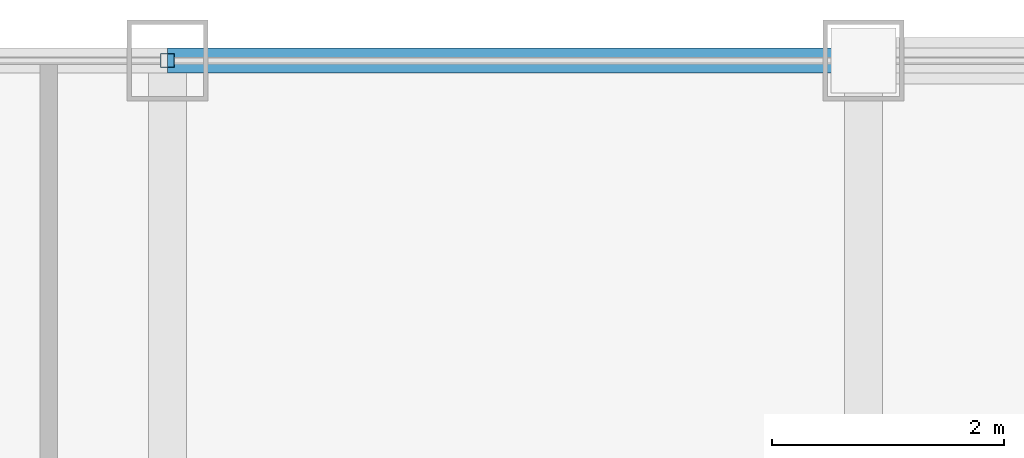
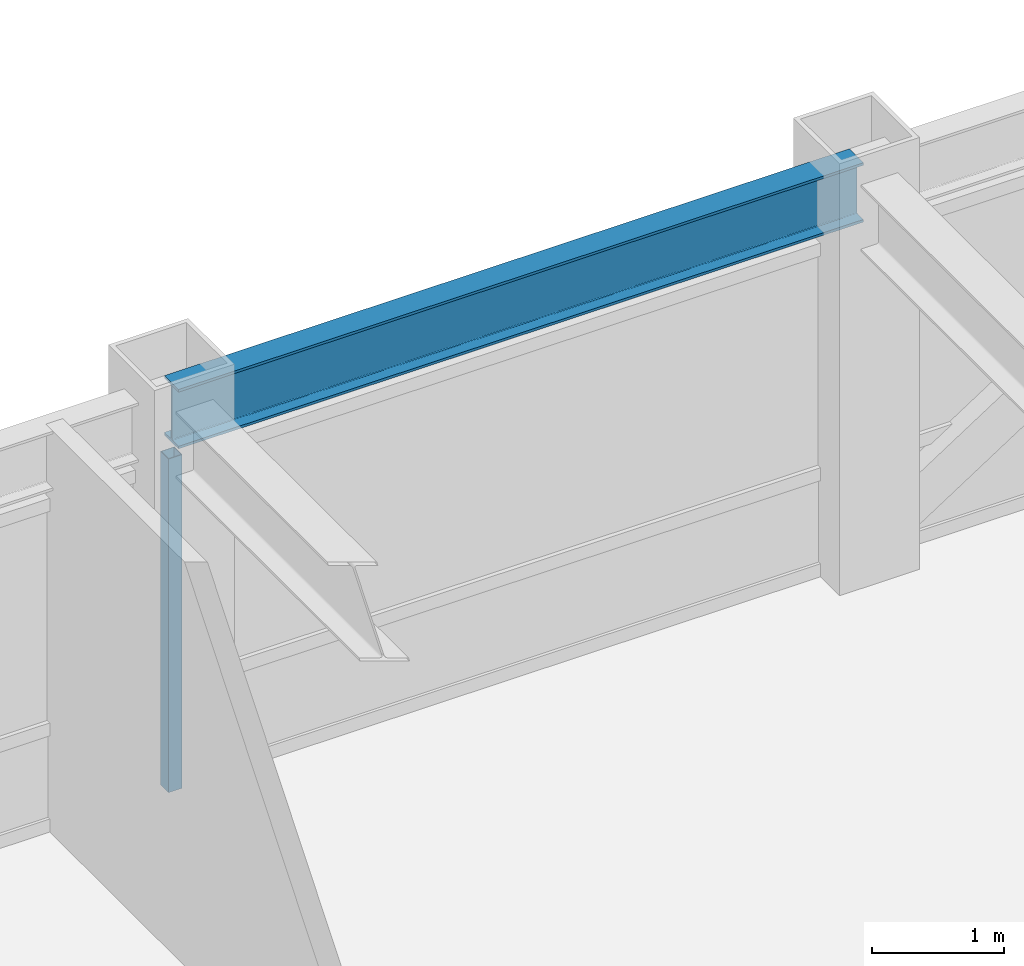
# One storey, part 18 of 29: 1 beam, 1 member, 1 element without a shape of its own.
"""IFC4 building model written with IfcOpenShell, lengths in metres."""

from ifc_helpers import new_model, si_unit, direction, frame, origin, origin_2d, place, context, subcontext, project, spatial, hollow_rectangle, i_section, extrude, source, transform, mapped, material, material_profile, profile_set, type_object, element, aggregate, save


model = new_model("IFC4")

# Units and contexts
model_context = context("Model", 3, precision=1e-05, world=origin(), true_north=direction((0.0, 1.0)))
body_context = subcontext(model_context, "Body", "Model", "MODEL_VIEW")
ifc_project = project(units=[si_unit("LENGTHUNIT", "METRE"), si_unit("AREAUNIT", "SQUARE_METRE"), si_unit("VOLUMEUNIT", "CUBIC_METRE"), si_unit("PLANEANGLEUNIT", "RADIAN"), si_unit("MASSUNIT", "GRAM", prefix="KILO")], contexts=[model_context])

# Site, building, storey
site_placement = place(None, origin())
site = spatial("IfcSite", under=ifc_project, at=site_placement, CompositionType="ELEMENT")
building_placement = place(site_placement, origin())
building = spatial("IfcBuilding", under=site, at=building_placement, Name="Khorayat Bourse Tower", CompositionType="ELEMENT")
storey_placement = place(building_placement, frame((0.0, 0.0, 366.300048828125)))
storey = spatial("IfcBuildingStorey", under=building, at=storey_placement, Name="L87", CompositionType="ELEMENT", Elevation=366.300048828125)

# Beam
ifc_material_1 = material(Name="Steel ASTM A992 Grade 50", Category="steel")
ifc_material_profile_1 = material_profile(ifc_material_1, i_section(OverallWidth=0.214111328125, OverallDepth=0.549072265625, WebThickness=0.0146484375, FlangeThickness=0.023681640625, FilletRadius=0.013916015625, at=origin_2d()), Name="W530X138")
ifc_profile_set_1 = profile_set([ifc_material_profile_1], Name="Steel ASTM A992 Grade 50")
beam_type = type_object("IfcBeamType", Name="BM-SPAN-530", PredefinedType="SPANDREL", material=ifc_profile_set_1)
shared_shape_1 = source(origin(), body_context, "Body", "SweptSolid", [
    extrude(i_section(OverallWidth=0.214111328125, OverallDepth=0.549072265625, WebThickness=0.0146484375, FlangeThickness=0.023681640625, FilletRadius=0.013916015625, at=origin_2d()), origin(), (0.0, 0.0, 1.0), 6.0),
])
beam_placement = place(storey_placement, frame((0.0, 26.0, 3.46533203125), z_axis=(1.0, 0.0, 0.0), x_axis=(0.0, 1.0, 0.0)))
element("IfcBeam", 1, at=beam_placement, inside=storey, type_object=beam_type, Name="L87 BM-SPAN-530 BM-L87-SPN-042", PredefinedType="SPANDREL", context=body_context, shape_type="MappedRepresentation", body=[
    mapped(shared_shape_1, transform((0.0, 0.0, 0.0), scale=1.0)),
])

# Curtain wall, member
ifc_material_2 = material(Name="Aluminium EN AW-6063 T6", Category="aluminium")
curtain_wall_type = type_object("IfcCurtainWallType", Name="CW-SYS-04", PredefinedType="NOTDEFINED", material=ifc_material_2)
curtain_wall_placement = place(storey_placement, origin())
curtain_wall = element("IfcCurtainWall", 2, at=curtain_wall_placement, inside=storey, type_object=curtain_wall_type, Name="L87 Curtain Wall CW-L87-N1", PredefinedType="NOTDEFINED")
ifc_material_profile_2 = material_profile(ifc_material_2, hollow_rectangle(XDim=0.1201171875, YDim=0.1201171875, WallThickness=0.0048828125, at=origin_2d()), Name="ALU 120x120x5")
ifc_profile_set_2 = profile_set([ifc_material_profile_2], Name="Aluminium EN AW-6063 T6")
member_type = type_object("IfcMemberType", Name="CWM-VERT-120", PredefinedType="MULLION", material=ifc_profile_set_2)
shared_shape_2 = source(origin(), body_context, "Body", "SweptSolid", [
    extrude(hollow_rectangle(XDim=0.1201171875, YDim=0.1201171875, WallThickness=0.0048828125, at=origin_2d()), origin(), (0.0, 0.0, 1.0), 3.08984375),
])
member_placement = place(storey_placement, frame((0.0, 26.0, 0.0), z_axis=(0.0, 0.0, 1.0), x_axis=(0.0, 1.0, 0.0)))
member = element("IfcMember", 3, at=member_placement, type_object=member_type, Name="CW-L87-N1 Vertical Mullion 2", PredefinedType="MULLION", context=body_context, shape_type="MappedRepresentation", body=[
    mapped(shared_shape_2, transform((0.0, 0.0, 0.0), scale=1.0)),
])
aggregate(curtain_wall, [member])

save(model, "model.ifc")
